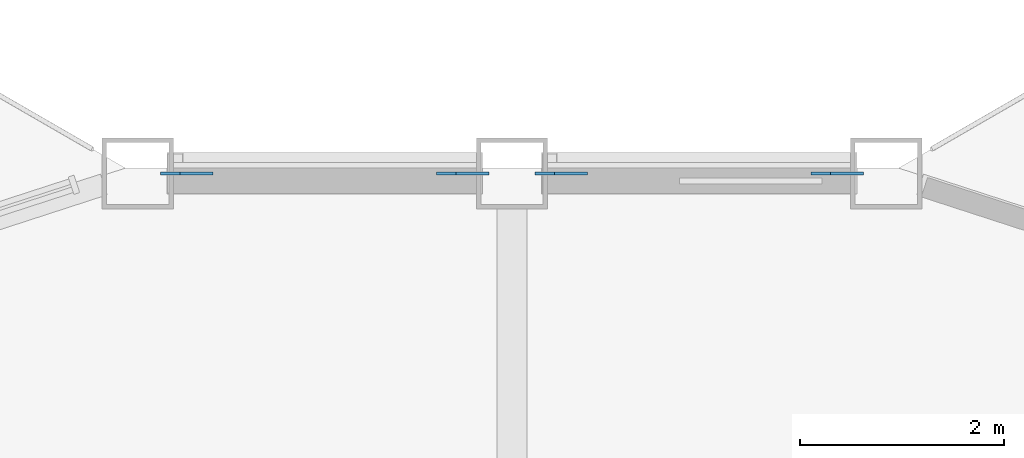
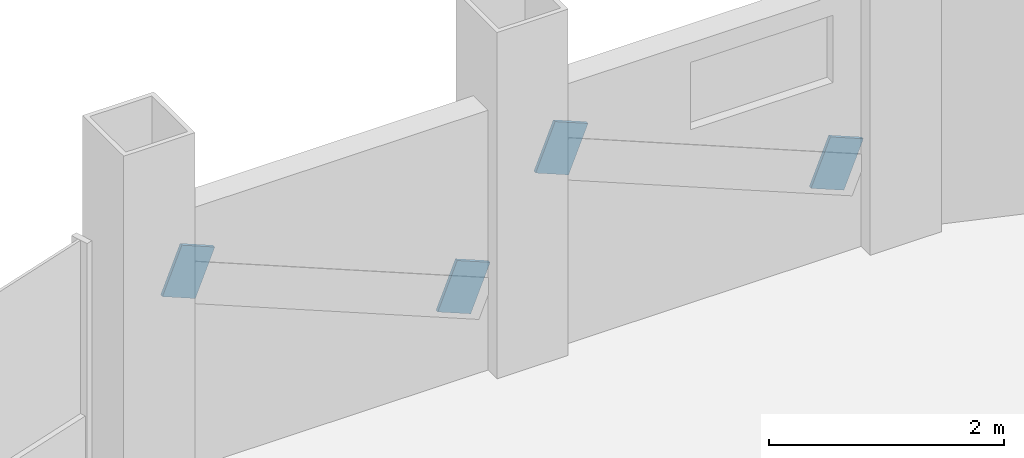
# One storey, part 18 of 24: 4 discrete accessories.
"""IFC4 building model written with IfcOpenShell, lengths in metres."""

from ifc_helpers import new_model, si_unit, direction, frame, origin, origin_2d, place, context, subcontext, project, spatial, rectangle, extrude, material, material_profile, profile_set, type_object, element, save


model = new_model("IFC4")

# Units and contexts
model_context = context("Model", 3, precision=1e-05, world=origin(), true_north=direction((0.0, 1.0)))
body_context = subcontext(model_context, "Body", "Model", "MODEL_VIEW")
ifc_project = project(units=[si_unit("LENGTHUNIT", "METRE"), si_unit("AREAUNIT", "SQUARE_METRE"), si_unit("VOLUMEUNIT", "CUBIC_METRE"), si_unit("PLANEANGLEUNIT", "RADIAN"), si_unit("MASSUNIT", "GRAM", prefix="KILO")], contexts=[model_context])

# Site, building, storey
site_placement = place(None, origin())
site = spatial("IfcSite", under=ifc_project, at=site_placement, CompositionType="ELEMENT")
building_placement = place(site_placement, origin())
building = spatial("IfcBuilding", under=site, at=building_placement, Name="Cormorant Prow Tower", CompositionType="ELEMENT")
storey_placement = place(building_placement, frame((0.0, 0.0, 274.199951171875)))
storey = spatial("IfcBuildingStorey", under=building, at=storey_placement, Name="L62", CompositionType="ELEMENT", Elevation=274.199951171875)

# Discrete accessories
ifc_material = material(Name="Structural steel ASTM A500 Gr C", Category="steel")
ifc_material_profile = material_profile(ifc_material, rectangle(XDim=0.031982421875, YDim=0.506103515625, at=origin_2d()), Name="Gusset plate 32x506")
ifc_profile_set = profile_set([ifc_material_profile], Name="Structural steel ASTM A500 Gr C")
discrete_accessory_type = type_object("IfcDiscreteAccessoryType", Name="Gusset plate 32x506", PredefinedType="BRACKET", material=ifc_profile_set)
discrete_accessory_1_placement = place(storey_placement, frame((3.027099609375, 32.073486328125, 0.863037109375), z_axis=(0.925757954086, 0.0, -0.378116662483), x_axis=(0.0, 1.0, 0.0)))
element("IfcDiscreteAccessory", 1, at=discrete_accessory_1_placement, inside=storey, type_object=discrete_accessory_type, Name="Gusset plate GP2 L62.N00.g0", PredefinedType="BRACKET", context=body_context, shape_type="SweptSolid", body=[
    extrude(rectangle(XDim=0.031982421875, YDim=0.506103515625, at=origin_2d()), origin(), (0.0, 0.0, 1.0), 0.349853515625),
])
discrete_accessory_2_placement = place(storey_placement, frame((0.643310546875, 32.073486328125, 1.837890625), z_axis=(-0.925513623242, 0.0, 0.378714316067), x_axis=(0.0, -1.0, 0.0)))
element("IfcDiscreteAccessory", 2, at=discrete_accessory_2_placement, inside=storey, type_object=discrete_accessory_type, Name="Gusset plate GP2 L62.N00.g1", PredefinedType="BRACKET", context=body_context, shape_type="SweptSolid", body=[
    extrude(rectangle(XDim=0.031982421875, YDim=0.506103515625, at=origin_2d()), origin(), (0.0, 0.0, 1.0), 0.35009765625),
])
discrete_accessory_3_placement = place(storey_placement, frame((-0.643310546875, 32.073486328125, 0.863037109375), z_axis=(0.925757954086, 0.0, -0.378116662483), x_axis=(0.0, 1.0, 0.0)))
element("IfcDiscreteAccessory", 3, at=discrete_accessory_3_placement, inside=storey, type_object=discrete_accessory_type, Name="Gusset plate GP2 L62.N01.g0", PredefinedType="BRACKET", context=body_context, shape_type="SweptSolid", body=[
    extrude(rectangle(XDim=0.031982421875, YDim=0.506103515625, at=origin_2d()), origin(), (0.0, 0.0, 1.0), 0.349853515625),
])
discrete_accessory_4_placement = place(storey_placement, frame((-3.027099609375, 32.073486328125, 1.837890625), z_axis=(-0.925513623242, 0.0, 0.378714316067), x_axis=(0.0, -1.0, 0.0)))
element("IfcDiscreteAccessory", 4, at=discrete_accessory_4_placement, inside=storey, type_object=discrete_accessory_type, Name="Gusset plate GP2 L62.N01.g1", PredefinedType="BRACKET", context=body_context, shape_type="SweptSolid", body=[
    extrude(rectangle(XDim=0.031982421875, YDim=0.506103515625, at=origin_2d()), origin(), (0.0, 0.0, 1.0), 0.35009765625),
])

save(model, "model.ifc")
